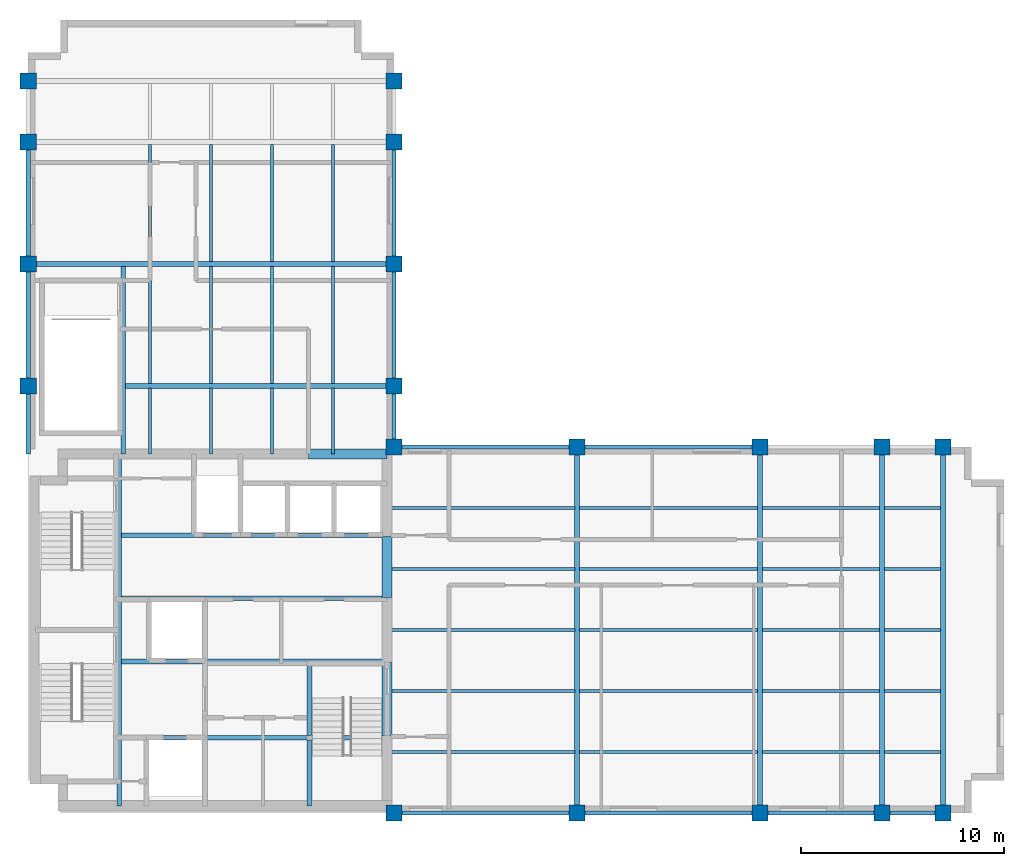
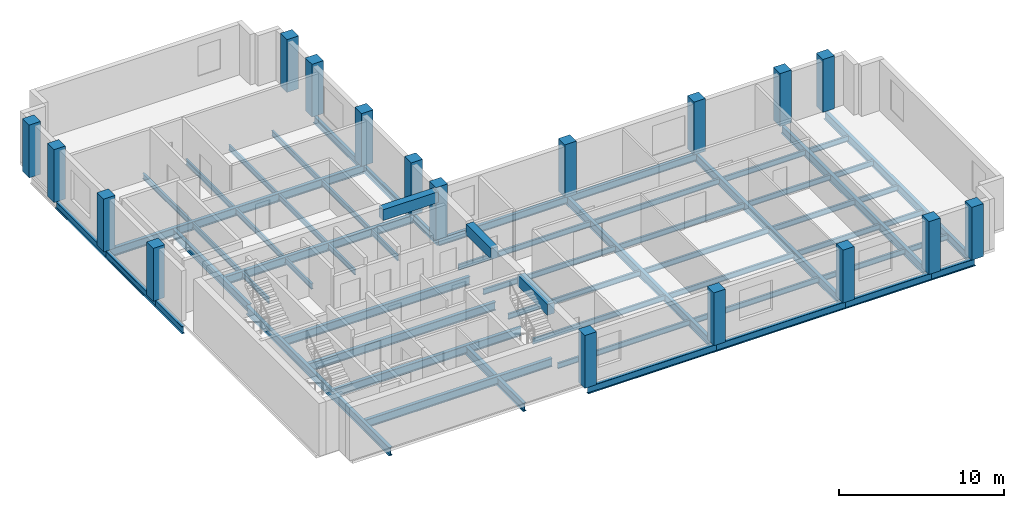
# One storey, part 1 of 6: 61 beams, 18 columns.
"""IFC4 building model written with IfcOpenShell, lengths in metres."""

from ifc_helpers import new_model, si_unit, direction, frame, origin, origin_2d, place, context, subcontext, project, spatial, rectangle, i_section, extrude, material, material_profile, profile_set, type_object, element, save


model = new_model("IFC4")

# Units and contexts
model_context = context("Model", 3, precision=1e-05, world=origin(), true_north=direction((0.0, 1.0)))
body_context = subcontext(model_context, "Body", "Model", "MODEL_VIEW")
ifc_project = project(units=[si_unit("LENGTHUNIT", "METRE"), si_unit("AREAUNIT", "SQUARE_METRE"), si_unit("VOLUMEUNIT", "CUBIC_METRE"), si_unit("PLANEANGLEUNIT", "RADIAN"), si_unit("MASSUNIT", "GRAM", prefix="KILO")], contexts=[model_context])

# Site, building, storey
site_placement = place(None, origin())
site = spatial("IfcSite", under=ifc_project, at=site_placement, CompositionType="ELEMENT")
building_placement = place(site_placement, origin())
building = spatial("IfcBuilding", under=site, at=building_placement, Name="Mawjdan Bourse Tower", CompositionType="ELEMENT")
storey_placement = place(building_placement, frame((0.0, 0.0, 250.800048828125)))
storey = spatial("IfcBuildingStorey", under=building, at=storey_placement, Name="L61", CompositionType="ELEMENT", Elevation=250.800048828125)

# Columns
ifc_material_1 = material(Name="Concrete C60/75", Category="concrete")
ifc_material_profile_1 = material_profile(ifc_material_1, rectangle(XDim=0.800048828125, YDim=0.800048828125, at=origin_2d()), Name="RC800X800")
ifc_profile_set_1 = profile_set([ifc_material_profile_1], Name="Concrete C60/75")
column_type = type_object("IfcColumnType", Name="COL-RC800X800", PredefinedType="COLUMN", material=ifc_profile_set_1)
for number, where, z_axis, x_axis, name in (
    (1, (24.0, 3.0, 0.0), (0.0, 0.0, 1.0), (1.0, 0.0, 0.0), "L61 Structural Column C-X240-Y30"),
    (2, (24.0, 21.0, 0.0), (0.0, 0.0, 1.0), (1.0, 0.0, 0.0), "L61 Structural Column C-X240-Y210"),
    (3, (33.0, 3.0, 0.0), (0.0, 0.0, 1.0), (1.0, 0.0, 0.0), "L61 Structural Column C-X330-Y30"),
    (4, (33.0, 21.0, 0.0), (0.0, 0.0, 1.0), (1.0, 0.0, 0.0), "L61 Structural Column C-X330-Y210"),
    (5, (42.0, 3.0, 0.0), (0.0, 0.0, 1.0), (1.0, 0.0, 0.0), "L61 Structural Column C-X420-Y30"),
    (6, (42.0, 21.0, 0.0), (0.0, 0.0, 1.0), (1.0, 0.0, 0.0), "L61 Structural Column C-X420-Y210"),
    (7, (48.0, 3.0, 0.0), (0.0, 0.0, 1.0), (1.0, 0.0, 0.0), "L61 Structural Column C-X480-Y30"),
    (8, (48.0, 21.0, 0.0), (0.0, 0.0, 1.0), (1.0, 0.0, 0.0), "L61 Structural Column C-X480-Y210"),
    (9, (51.0, 3.0, 0.0), (0.0, 0.0, 1.0), (1.0, 0.0, 0.0), "L61 Structural Column C-X510-Y30"),
    (10, (51.0, 21.0, 0.0), (0.0, 0.0, 1.0), (1.0, 0.0, 0.0), "L61 Structural Column C-X510-Y210"),
    (11, (6.0, 24.0, 0.0), (0.0, 0.0, 1.0), (1.0, 0.0, 0.0), "L61 Structural Column C-X60-Y240"),
    (12, (24.0, 24.0, 0.0), (0.0, 0.0, 1.0), (1.0, 0.0, 0.0), "L61 Structural Column C-X240-Y240"),
    (13, (6.0, 30.0, 0.0), (0.0, 0.0, 1.0), (1.0, 0.0, 0.0), "L61 Structural Column C-X60-Y300"),
    (14, (24.0, 30.0, 0.0), (0.0, 0.0, 1.0), (1.0, 0.0, 0.0), "L61 Structural Column C-X240-Y300"),
    (15, (6.0, 36.0, 0.0), (0.0, 0.0, 1.0), (1.0, 0.0, 0.0), "L61 Structural Column C-X60-Y360"),
    (16, (24.0, 36.0, 0.0), (0.0, 0.0, 1.0), (1.0, 0.0, 0.0), "L61 Structural Column C-X240-Y360"),
    (17, (6.0, 39.0, 0.0), (0.0, 0.0, 1.0), (1.0, 0.0, 0.0), "L61 Structural Column C-X60-Y390"),
    (18, (24.0, 39.0, 0.0), (0.0, 0.0, 1.0), (1.0, 0.0, 0.0), "L61 Structural Column C-X240-Y390"),
):
    element("IfcColumn", number, at=place(storey_placement, frame(where, z_axis=z_axis, x_axis=x_axis)), inside=storey, type_object=column_type, Name=name, PredefinedType="COLUMN", context=body_context, shape_type="SweptSolid", body=[
        extrude(rectangle(XDim=0.800048828125, YDim=0.800048828125, at=origin_2d()), origin(), (0.0, 0.0, 1.0), 3.89990234375),
    ])

# Beams
ifc_material_2 = material(Name="Structural Steel S355", Category="steel")
ifc_material_profile_2 = material_profile(ifc_material_2, i_section(OverallWidth=0.22998046875, OverallDepth=0.616943359375, WebThickness=0.01318359375, FlangeThickness=0.022216796875, FilletRadius=0.017822265625, at=origin_2d()), Name="W24X94")
ifc_profile_set_2 = profile_set([ifc_material_profile_2], Name="Structural Steel S355")
beam_type_1 = type_object("IfcBeamType", Name="GRD-W24X94", PredefinedType="BEAM", material=ifc_profile_set_2)
beam_1_placement = place(storey_placement, frame((10.47998046875, 3.35009765625, -0.508544921875), z_axis=(0.0, 1.0, 0.0), x_axis=(-1.0, 0.0, 0.0)))
element("IfcBeam", 19, at=beam_1_placement, inside=storey, type_object=beam_type_1, Name="L61 Core Stair Trimmer Girder 001", PredefinedType="BEAM", context=body_context, shape_type="SweptSolid", body=[
    extrude(i_section(OverallWidth=0.22998046875, OverallDepth=0.616943359375, WebThickness=0.01318359375, FlangeThickness=0.022216796875, FilletRadius=0.017822265625, at=origin_2d()), origin(), (0.0, 0.0, 1.0), 17.2998046875),
])
for number, where, z_axis, x_axis, name in (
    (20, (33.0, 3.0, -0.508544921875), (0.0, 1.0, 0.0), (-1.0, 0.0, 0.0), "L61 East Wing Clear-Span Girder 002"),
    (21, (42.0, 3.0, -0.508544921875), (0.0, 1.0, 0.0), (-1.0, 0.0, 0.0), "L61 East Wing Clear-Span Girder 003"),
    (22, (48.0, 3.0, -0.508544921875), (0.0, 1.0, 0.0), (-1.0, 0.0, 0.0), "L61 East Wing Clear-Span Girder 004"),
    (23, (51.0, 3.0, -0.508544921875), (0.0, 1.0, 0.0), (-1.0, 0.0, 0.0), "L61 East Wing Clear-Span Girder 005"),
):
    element("IfcBeam", number, at=place(storey_placement, frame(where, z_axis=z_axis, x_axis=x_axis)), inside=storey, type_object=beam_type_1, Name=name, PredefinedType="BEAM", context=body_context, shape_type="SweptSolid", body=[
        extrude(i_section(OverallWidth=0.22998046875, OverallDepth=0.616943359375, WebThickness=0.01318359375, FlangeThickness=0.022216796875, FilletRadius=0.017822265625, at=origin_2d()), origin(), (0.0, 0.0, 1.0), 18.0),
    ])
beam_2_placement = place(storey_placement, frame((10.679931640625, 20.64990234375, -0.508544921875), z_axis=(0.0, 1.0, 0.0), x_axis=(-1.0, 0.0, 0.0)))
element("IfcBeam", 24, at=beam_2_placement, inside=storey, type_object=beam_type_1, Name="L61 North Wing Stair Trimmer Girder 038", PredefinedType="BEAM", context=body_context, shape_type="SweptSolid", body=[
    extrude(i_section(OverallWidth=0.22998046875, OverallDepth=0.616943359375, WebThickness=0.01318359375, FlangeThickness=0.022216796875, FilletRadius=0.017822265625, at=origin_2d()), origin(), (0.0, 0.0, 1.0), 9.237060546875),
])
beam_3_placement = place(storey_placement, frame((10.79296875, 24.0, -0.508544921875), z_axis=(1.0, 0.0, 0.0), x_axis=(0.0, 1.0, 0.0)))
element("IfcBeam", 25, at=beam_3_placement, inside=storey, type_object=beam_type_1, Name="L61 North Wing Clear-Span Girder 039", PredefinedType="BEAM", context=body_context, shape_type="SweptSolid", body=[
    extrude(i_section(OverallWidth=0.22998046875, OverallDepth=0.616943359375, WebThickness=0.01318359375, FlangeThickness=0.022216796875, FilletRadius=0.017822265625, at=origin_2d()), origin(), (0.0, 0.0, 1.0), 13.20703125),
])
beam_4_placement = place(storey_placement, frame((6.0, 30.0, -0.508544921875), z_axis=(1.0, 0.0, 0.0), x_axis=(0.0, 1.0, 0.0)))
element("IfcBeam", 26, at=beam_4_placement, inside=storey, type_object=beam_type_1, Name="L61 North Wing Clear-Span Girder 040", PredefinedType="BEAM", context=body_context, shape_type="SweptSolid", body=[
    extrude(i_section(OverallWidth=0.22998046875, OverallDepth=0.616943359375, WebThickness=0.01318359375, FlangeThickness=0.022216796875, FilletRadius=0.017822265625, at=origin_2d()), origin(), (0.0, 0.0, 1.0), 18.0),
])
ifc_material_profile_3 = material_profile(ifc_material_2, i_section(OverallWidth=0.139892578125, OverallDepth=0.404052734375, WebThickness=0.007080078125, FlangeThickness=0.01123046875, FilletRadius=0.009033203125, at=origin_2d()), Name="W16X31")
ifc_profile_set_3 = profile_set([ifc_material_profile_3], Name="Structural Steel S355")
beam_type_2 = type_object("IfcBeamType", Name="JST-W16X31", PredefinedType="JOIST", material=ifc_profile_set_3)
beam_5_placement = place(storey_placement, frame((23.64990234375, 6.0, -0.402099609375), z_axis=(1.0, 0.0, 0.0), x_axis=(0.0, 1.0, 0.0)))
element("IfcBeam", 27, at=beam_5_placement, inside=storey, type_object=beam_type_2, Name="L61 East Wing Composite Joist 014", PredefinedType="JOIST", context=body_context, shape_type="SweptSolid", body=[
    extrude(i_section(OverallWidth=0.139892578125, OverallDepth=0.404052734375, WebThickness=0.007080078125, FlangeThickness=0.01123046875, FilletRadius=0.009033203125, at=origin_2d()), origin(), (0.0, 0.0, 1.0), 9.237060546875),
])
beam_6_placement = place(storey_placement, frame((33.113037109375, 6.0, -0.402099609375), z_axis=(1.0, 0.0, 0.0), x_axis=(0.0, 1.0, 0.0)))
element("IfcBeam", 28, at=beam_6_placement, inside=storey, type_object=beam_type_2, Name="L61 East Wing Composite Joist 015", PredefinedType="JOIST", context=body_context, shape_type="SweptSolid", body=[
    extrude(i_section(OverallWidth=0.139892578125, OverallDepth=0.404052734375, WebThickness=0.007080078125, FlangeThickness=0.01123046875, FilletRadius=0.009033203125, at=origin_2d()), origin(), (0.0, 0.0, 1.0), 8.77392578125),
])
beam_7_placement = place(storey_placement, frame((42.113037109375, 6.0, -0.402099609375), z_axis=(1.0, 0.0, 0.0), x_axis=(0.0, 1.0, 0.0)))
element("IfcBeam", 29, at=beam_7_placement, inside=storey, type_object=beam_type_2, Name="L61 East Wing Composite Joist 016", PredefinedType="JOIST", context=body_context, shape_type="SweptSolid", body=[
    extrude(i_section(OverallWidth=0.139892578125, OverallDepth=0.404052734375, WebThickness=0.007080078125, FlangeThickness=0.01123046875, FilletRadius=0.009033203125, at=origin_2d()), origin(), (0.0, 0.0, 1.0), 5.77392578125),
])
beam_8_placement = place(storey_placement, frame((48.113037109375, 6.0, -0.402099609375), z_axis=(1.0, 0.0, 0.0), x_axis=(0.0, 1.0, 0.0)))
element("IfcBeam", 30, at=beam_8_placement, inside=storey, type_object=beam_type_2, Name="L61 East Wing Composite Joist 017", PredefinedType="JOIST", context=body_context, shape_type="SweptSolid", body=[
    extrude(i_section(OverallWidth=0.139892578125, OverallDepth=0.404052734375, WebThickness=0.007080078125, FlangeThickness=0.01123046875, FilletRadius=0.009033203125, at=origin_2d()), origin(), (0.0, 0.0, 1.0), 2.77392578125),
])
beam_9_placement = place(storey_placement, frame((23.64990234375, 9.0, -0.402099609375), z_axis=(1.0, 0.0, 0.0), x_axis=(0.0, 1.0, 0.0)))
element("IfcBeam", 31, at=beam_9_placement, inside=storey, type_object=beam_type_2, Name="L61 East Wing Composite Joist 018", PredefinedType="JOIST", context=body_context, shape_type="SweptSolid", body=[
    extrude(i_section(OverallWidth=0.139892578125, OverallDepth=0.404052734375, WebThickness=0.007080078125, FlangeThickness=0.01123046875, FilletRadius=0.009033203125, at=origin_2d()), origin(), (0.0, 0.0, 1.0), 9.237060546875),
])
beam_10_placement = place(storey_placement, frame((33.113037109375, 9.0, -0.402099609375), z_axis=(1.0, 0.0, 0.0), x_axis=(0.0, 1.0, 0.0)))
element("IfcBeam", 32, at=beam_10_placement, inside=storey, type_object=beam_type_2, Name="L61 East Wing Composite Joist 019", PredefinedType="JOIST", context=body_context, shape_type="SweptSolid", body=[
    extrude(i_section(OverallWidth=0.139892578125, OverallDepth=0.404052734375, WebThickness=0.007080078125, FlangeThickness=0.01123046875, FilletRadius=0.009033203125, at=origin_2d()), origin(), (0.0, 0.0, 1.0), 8.77392578125),
])
beam_11_placement = place(storey_placement, frame((42.113037109375, 9.0, -0.402099609375), z_axis=(1.0, 0.0, 0.0), x_axis=(0.0, 1.0, 0.0)))
element("IfcBeam", 33, at=beam_11_placement, inside=storey, type_object=beam_type_2, Name="L61 East Wing Composite Joist 020", PredefinedType="JOIST", context=body_context, shape_type="SweptSolid", body=[
    extrude(i_section(OverallWidth=0.139892578125, OverallDepth=0.404052734375, WebThickness=0.007080078125, FlangeThickness=0.01123046875, FilletRadius=0.009033203125, at=origin_2d()), origin(), (0.0, 0.0, 1.0), 5.77392578125),
])
beam_12_placement = place(storey_placement, frame((48.113037109375, 9.0, -0.402099609375), z_axis=(1.0, 0.0, 0.0), x_axis=(0.0, 1.0, 0.0)))
element("IfcBeam", 34, at=beam_12_placement, inside=storey, type_object=beam_type_2, Name="L61 East Wing Composite Joist 021", PredefinedType="JOIST", context=body_context, shape_type="SweptSolid", body=[
    extrude(i_section(OverallWidth=0.139892578125, OverallDepth=0.404052734375, WebThickness=0.007080078125, FlangeThickness=0.01123046875, FilletRadius=0.009033203125, at=origin_2d()), origin(), (0.0, 0.0, 1.0), 2.77392578125),
])
beam_13_placement = place(storey_placement, frame((23.64990234375, 12.0, -0.402099609375), z_axis=(1.0, 0.0, 0.0), x_axis=(0.0, 1.0, 0.0)))
element("IfcBeam", 35, at=beam_13_placement, inside=storey, type_object=beam_type_2, Name="L61 East Wing Composite Joist 022", PredefinedType="JOIST", context=body_context, shape_type="SweptSolid", body=[
    extrude(i_section(OverallWidth=0.139892578125, OverallDepth=0.404052734375, WebThickness=0.007080078125, FlangeThickness=0.01123046875, FilletRadius=0.009033203125, at=origin_2d()), origin(), (0.0, 0.0, 1.0), 9.237060546875),
])
beam_14_placement = place(storey_placement, frame((33.113037109375, 12.0, -0.402099609375), z_axis=(1.0, 0.0, 0.0), x_axis=(0.0, 1.0, 0.0)))
element("IfcBeam", 36, at=beam_14_placement, inside=storey, type_object=beam_type_2, Name="L61 East Wing Composite Joist 023", PredefinedType="JOIST", context=body_context, shape_type="SweptSolid", body=[
    extrude(i_section(OverallWidth=0.139892578125, OverallDepth=0.404052734375, WebThickness=0.007080078125, FlangeThickness=0.01123046875, FilletRadius=0.009033203125, at=origin_2d()), origin(), (0.0, 0.0, 1.0), 8.77392578125),
])
beam_15_placement = place(storey_placement, frame((42.113037109375, 12.0, -0.402099609375), z_axis=(1.0, 0.0, 0.0), x_axis=(0.0, 1.0, 0.0)))
element("IfcBeam", 37, at=beam_15_placement, inside=storey, type_object=beam_type_2, Name="L61 East Wing Composite Joist 024", PredefinedType="JOIST", context=body_context, shape_type="SweptSolid", body=[
    extrude(i_section(OverallWidth=0.139892578125, OverallDepth=0.404052734375, WebThickness=0.007080078125, FlangeThickness=0.01123046875, FilletRadius=0.009033203125, at=origin_2d()), origin(), (0.0, 0.0, 1.0), 5.77392578125),
])
beam_16_placement = place(storey_placement, frame((48.113037109375, 12.0, -0.402099609375), z_axis=(1.0, 0.0, 0.0), x_axis=(0.0, 1.0, 0.0)))
element("IfcBeam", 38, at=beam_16_placement, inside=storey, type_object=beam_type_2, Name="L61 East Wing Composite Joist 025", PredefinedType="JOIST", context=body_context, shape_type="SweptSolid", body=[
    extrude(i_section(OverallWidth=0.139892578125, OverallDepth=0.404052734375, WebThickness=0.007080078125, FlangeThickness=0.01123046875, FilletRadius=0.009033203125, at=origin_2d()), origin(), (0.0, 0.0, 1.0), 2.77392578125),
])
beam_17_placement = place(storey_placement, frame((23.64990234375, 15.0, -0.402099609375), z_axis=(1.0, 0.0, 0.0), x_axis=(0.0, 1.0, 0.0)))
element("IfcBeam", 39, at=beam_17_placement, inside=storey, type_object=beam_type_2, Name="L61 East Wing Composite Joist 026", PredefinedType="JOIST", context=body_context, shape_type="SweptSolid", body=[
    extrude(i_section(OverallWidth=0.139892578125, OverallDepth=0.404052734375, WebThickness=0.007080078125, FlangeThickness=0.01123046875, FilletRadius=0.009033203125, at=origin_2d()), origin(), (0.0, 0.0, 1.0), 9.237060546875),
])
beam_18_placement = place(storey_placement, frame((33.113037109375, 15.0, -0.402099609375), z_axis=(1.0, 0.0, 0.0), x_axis=(0.0, 1.0, 0.0)))
element("IfcBeam", 40, at=beam_18_placement, inside=storey, type_object=beam_type_2, Name="L61 East Wing Composite Joist 027", PredefinedType="JOIST", context=body_context, shape_type="SweptSolid", body=[
    extrude(i_section(OverallWidth=0.139892578125, OverallDepth=0.404052734375, WebThickness=0.007080078125, FlangeThickness=0.01123046875, FilletRadius=0.009033203125, at=origin_2d()), origin(), (0.0, 0.0, 1.0), 8.77392578125),
])
beam_19_placement = place(storey_placement, frame((42.113037109375, 15.0, -0.402099609375), z_axis=(1.0, 0.0, 0.0), x_axis=(0.0, 1.0, 0.0)))
element("IfcBeam", 41, at=beam_19_placement, inside=storey, type_object=beam_type_2, Name="L61 East Wing Composite Joist 028", PredefinedType="JOIST", context=body_context, shape_type="SweptSolid", body=[
    extrude(i_section(OverallWidth=0.139892578125, OverallDepth=0.404052734375, WebThickness=0.007080078125, FlangeThickness=0.01123046875, FilletRadius=0.009033203125, at=origin_2d()), origin(), (0.0, 0.0, 1.0), 5.77392578125),
])
beam_20_placement = place(storey_placement, frame((48.113037109375, 15.0, -0.402099609375), z_axis=(1.0, 0.0, 0.0), x_axis=(0.0, 1.0, 0.0)))
element("IfcBeam", 42, at=beam_20_placement, inside=storey, type_object=beam_type_2, Name="L61 East Wing Composite Joist 029", PredefinedType="JOIST", context=body_context, shape_type="SweptSolid", body=[
    extrude(i_section(OverallWidth=0.139892578125, OverallDepth=0.404052734375, WebThickness=0.007080078125, FlangeThickness=0.01123046875, FilletRadius=0.009033203125, at=origin_2d()), origin(), (0.0, 0.0, 1.0), 2.77392578125),
])
beam_21_placement = place(storey_placement, frame((23.64990234375, 18.0, -0.402099609375), z_axis=(1.0, 0.0, 0.0), x_axis=(0.0, 1.0, 0.0)))
element("IfcBeam", 43, at=beam_21_placement, inside=storey, type_object=beam_type_2, Name="L61 East Wing Composite Joist 030", PredefinedType="JOIST", context=body_context, shape_type="SweptSolid", body=[
    extrude(i_section(OverallWidth=0.139892578125, OverallDepth=0.404052734375, WebThickness=0.007080078125, FlangeThickness=0.01123046875, FilletRadius=0.009033203125, at=origin_2d()), origin(), (0.0, 0.0, 1.0), 9.237060546875),
])
beam_22_placement = place(storey_placement, frame((33.113037109375, 18.0, -0.402099609375), z_axis=(1.0, 0.0, 0.0), x_axis=(0.0, 1.0, 0.0)))
element("IfcBeam", 44, at=beam_22_placement, inside=storey, type_object=beam_type_2, Name="L61 East Wing Composite Joist 031", PredefinedType="JOIST", context=body_context, shape_type="SweptSolid", body=[
    extrude(i_section(OverallWidth=0.139892578125, OverallDepth=0.404052734375, WebThickness=0.007080078125, FlangeThickness=0.01123046875, FilletRadius=0.009033203125, at=origin_2d()), origin(), (0.0, 0.0, 1.0), 8.77392578125),
])
beam_23_placement = place(storey_placement, frame((42.113037109375, 18.0, -0.402099609375), z_axis=(1.0, 0.0, 0.0), x_axis=(0.0, 1.0, 0.0)))
element("IfcBeam", 45, at=beam_23_placement, inside=storey, type_object=beam_type_2, Name="L61 East Wing Composite Joist 032", PredefinedType="JOIST", context=body_context, shape_type="SweptSolid", body=[
    extrude(i_section(OverallWidth=0.139892578125, OverallDepth=0.404052734375, WebThickness=0.007080078125, FlangeThickness=0.01123046875, FilletRadius=0.009033203125, at=origin_2d()), origin(), (0.0, 0.0, 1.0), 5.77392578125),
])
beam_24_placement = place(storey_placement, frame((48.113037109375, 18.0, -0.402099609375), z_axis=(1.0, 0.0, 0.0), x_axis=(0.0, 1.0, 0.0)))
element("IfcBeam", 46, at=beam_24_placement, inside=storey, type_object=beam_type_2, Name="L61 East Wing Composite Joist 033", PredefinedType="JOIST", context=body_context, shape_type="SweptSolid", body=[
    extrude(i_section(OverallWidth=0.139892578125, OverallDepth=0.404052734375, WebThickness=0.007080078125, FlangeThickness=0.01123046875, FilletRadius=0.009033203125, at=origin_2d()), origin(), (0.0, 0.0, 1.0), 2.77392578125),
])
beam_25_placement = place(storey_placement, frame((12.0, 20.64990234375, -0.402099609375), z_axis=(0.0, 1.0, 0.0), x_axis=(-1.0, 0.0, 0.0)))
element("IfcBeam", 47, at=beam_25_placement, inside=storey, type_object=beam_type_2, Name="L61 North Wing Composite Joist 051", PredefinedType="JOIST", context=body_context, shape_type="SweptSolid", body=[
    extrude(i_section(OverallWidth=0.139892578125, OverallDepth=0.404052734375, WebThickness=0.007080078125, FlangeThickness=0.01123046875, FilletRadius=0.009033203125, at=origin_2d()), origin(), (0.0, 0.0, 1.0), 3.237060546875),
])
for number, where, z_axis, x_axis, name in (
    (48, (12.0, 24.113037109375, -0.402099609375), (0.0, 1.0, 0.0), (-1.0, 0.0, 0.0), "L61 North Wing Composite Joist 052"),
    (49, (12.0, 30.113037109375, -0.402099609375), (0.0, 1.0, 0.0), (-1.0, 0.0, 0.0), "L61 North Wing Composite Joist 053"),
):
    element("IfcBeam", number, at=place(storey_placement, frame(where, z_axis=z_axis, x_axis=x_axis)), inside=storey, type_object=beam_type_2, Name=name, PredefinedType="JOIST", context=body_context, shape_type="SweptSolid", body=[
        extrude(i_section(OverallWidth=0.139892578125, OverallDepth=0.404052734375, WebThickness=0.007080078125, FlangeThickness=0.01123046875, FilletRadius=0.009033203125, at=origin_2d()), origin(), (0.0, 0.0, 1.0), 5.77392578125),
    ])
beam_26_placement = place(storey_placement, frame((15.0, 20.64990234375, -0.402099609375), z_axis=(0.0, 1.0, 0.0), x_axis=(-1.0, 0.0, 0.0)))
element("IfcBeam", 50, at=beam_26_placement, inside=storey, type_object=beam_type_2, Name="L61 North Wing Composite Joist 055", PredefinedType="JOIST", context=body_context, shape_type="SweptSolid", body=[
    extrude(i_section(OverallWidth=0.139892578125, OverallDepth=0.404052734375, WebThickness=0.007080078125, FlangeThickness=0.01123046875, FilletRadius=0.009033203125, at=origin_2d()), origin(), (0.0, 0.0, 1.0), 3.237060546875),
])
for number, where, z_axis, x_axis, name in (
    (51, (15.0, 24.113037109375, -0.402099609375), (0.0, 1.0, 0.0), (-1.0, 0.0, 0.0), "L61 North Wing Composite Joist 056"),
    (52, (15.0, 30.113037109375, -0.402099609375), (0.0, 1.0, 0.0), (-1.0, 0.0, 0.0), "L61 North Wing Composite Joist 057"),
):
    element("IfcBeam", number, at=place(storey_placement, frame(where, z_axis=z_axis, x_axis=x_axis)), inside=storey, type_object=beam_type_2, Name=name, PredefinedType="JOIST", context=body_context, shape_type="SweptSolid", body=[
        extrude(i_section(OverallWidth=0.139892578125, OverallDepth=0.404052734375, WebThickness=0.007080078125, FlangeThickness=0.01123046875, FilletRadius=0.009033203125, at=origin_2d()), origin(), (0.0, 0.0, 1.0), 5.77392578125),
    ])
beam_27_placement = place(storey_placement, frame((18.0, 20.64990234375, -0.402099609375), z_axis=(0.0, 1.0, 0.0), x_axis=(-1.0, 0.0, 0.0)))
element("IfcBeam", 53, at=beam_27_placement, inside=storey, type_object=beam_type_2, Name="L61 North Wing Composite Joist 059", PredefinedType="JOIST", context=body_context, shape_type="SweptSolid", body=[
    extrude(i_section(OverallWidth=0.139892578125, OverallDepth=0.404052734375, WebThickness=0.007080078125, FlangeThickness=0.01123046875, FilletRadius=0.009033203125, at=origin_2d()), origin(), (0.0, 0.0, 1.0), 3.237060546875),
])
for number, where, z_axis, x_axis, name in (
    (54, (18.0, 24.113037109375, -0.402099609375), (0.0, 1.0, 0.0), (-1.0, 0.0, 0.0), "L61 North Wing Composite Joist 060"),
    (55, (18.0, 30.113037109375, -0.402099609375), (0.0, 1.0, 0.0), (-1.0, 0.0, 0.0), "L61 North Wing Composite Joist 061"),
):
    element("IfcBeam", number, at=place(storey_placement, frame(where, z_axis=z_axis, x_axis=x_axis)), inside=storey, type_object=beam_type_2, Name=name, PredefinedType="JOIST", context=body_context, shape_type="SweptSolid", body=[
        extrude(i_section(OverallWidth=0.139892578125, OverallDepth=0.404052734375, WebThickness=0.007080078125, FlangeThickness=0.01123046875, FilletRadius=0.009033203125, at=origin_2d()), origin(), (0.0, 0.0, 1.0), 5.77392578125),
    ])
beam_28_placement = place(storey_placement, frame((21.0, 20.64990234375, -0.402099609375), z_axis=(0.0, 1.0, 0.0), x_axis=(-1.0, 0.0, 0.0)))
element("IfcBeam", 56, at=beam_28_placement, inside=storey, type_object=beam_type_2, Name="L61 North Wing Composite Joist 063", PredefinedType="JOIST", context=body_context, shape_type="SweptSolid", body=[
    extrude(i_section(OverallWidth=0.139892578125, OverallDepth=0.404052734375, WebThickness=0.007080078125, FlangeThickness=0.01123046875, FilletRadius=0.009033203125, at=origin_2d()), origin(), (0.0, 0.0, 1.0), 3.237060546875),
])
for number, where, z_axis, x_axis, name in (
    (57, (21.0, 24.113037109375, -0.402099609375), (0.0, 1.0, 0.0), (-1.0, 0.0, 0.0), "L61 North Wing Composite Joist 064"),
    (58, (21.0, 30.113037109375, -0.402099609375), (0.0, 1.0, 0.0), (-1.0, 0.0, 0.0), "L61 North Wing Composite Joist 065"),
):
    element("IfcBeam", number, at=place(storey_placement, frame(where, z_axis=z_axis, x_axis=x_axis)), inside=storey, type_object=beam_type_2, Name=name, PredefinedType="JOIST", context=body_context, shape_type="SweptSolid", body=[
        extrude(i_section(OverallWidth=0.139892578125, OverallDepth=0.404052734375, WebThickness=0.007080078125, FlangeThickness=0.01123046875, FilletRadius=0.009033203125, at=origin_2d()), origin(), (0.0, 0.0, 1.0), 5.77392578125),
    ])
ifc_material_profile_4 = material_profile(ifc_material_2, i_section(OverallWidth=0.22998046875, OverallDepth=0.616943359375, WebThickness=0.01318359375, FlangeThickness=0.022216796875, FilletRadius=0.017822265625, at=origin_2d()), Name="W24X94")
ifc_profile_set_4 = profile_set([ifc_material_profile_4], Name="Structural Steel S355")
beam_type_3 = type_object("IfcBeamType", Name="JST-W24X94", PredefinedType="JOIST", material=ifc_profile_set_4)
for number, where, z_axis, x_axis, name in (
    (59, (10.593017578125, 6.699951171875, -0.508544921875), (1.0, 0.0, 0.0), (0.0, 1.0, 0.0), "L61 Core Floor Joist 034"),
    (60, (10.593017578125, 10.449951171875, -0.508544921875), (1.0, 0.0, 0.0), (0.0, 1.0, 0.0), "L61 Core Floor Joist 035"),
    (61, (10.593017578125, 13.550048828125, -0.508544921875), (1.0, 0.0, 0.0), (0.0, 1.0, 0.0), "L61 Core Floor Joist 036"),
    (62, (10.593017578125, 16.64990234375, -0.508544921875), (1.0, 0.0, 0.0), (0.0, 1.0, 0.0), "L61 Core Floor Joist 037"),
):
    element("IfcBeam", number, at=place(storey_placement, frame(where, z_axis=z_axis, x_axis=x_axis)), inside=storey, type_object=beam_type_3, Name=name, PredefinedType="JOIST", context=body_context, shape_type="SweptSolid", body=[
        extrude(i_section(OverallWidth=0.22998046875, OverallDepth=0.616943359375, WebThickness=0.01318359375, FlangeThickness=0.022216796875, FilletRadius=0.017822265625, at=origin_2d()), origin(), (0.0, 0.0, 1.0), 13.056884765625),
    ])
beam_29_placement = place(storey_placement, frame((19.830078125, 3.35009765625, -0.508544921875), z_axis=(0.0, 1.0, 0.0), x_axis=(-1.0, 0.0, 0.0)))
element("IfcBeam", 63, at=beam_29_placement, inside=storey, type_object=beam_type_3, Name="L61 ST7 West Shaft Wall Trimmer 067", PredefinedType="JOIST", context=body_context, shape_type="SweptSolid", body=[
    extrude(i_section(OverallWidth=0.22998046875, OverallDepth=0.616943359375, WebThickness=0.01318359375, FlangeThickness=0.022216796875, FilletRadius=0.017822265625, at=origin_2d()), origin(), (0.0, 0.0, 1.0), 3.23681640625),
])
beam_30_placement = place(storey_placement, frame((19.830078125, 6.81298828125, -0.508544921875), z_axis=(0.0, 1.0, 0.0), x_axis=(-1.0, 0.0, 0.0)))
element("IfcBeam", 64, at=beam_30_placement, inside=storey, type_object=beam_type_3, Name="L61 ST7 West Shaft Wall Trimmer 068", PredefinedType="JOIST", context=body_context, shape_type="SweptSolid", body=[
    extrude(i_section(OverallWidth=0.22998046875, OverallDepth=0.616943359375, WebThickness=0.01318359375, FlangeThickness=0.022216796875, FilletRadius=0.017822265625, at=origin_2d()), origin(), (0.0, 0.0, 1.0), 3.52392578125),
])
ifc_material_3 = material(Name="Concrete C70/85", Category="concrete")
ifc_material_profile_5 = material_profile(ifc_material_3, rectangle(XDim=0.5, YDim=0.800048828125, at=origin_2d()), Name="RCB500X800")
ifc_profile_set_5 = profile_set([ifc_material_profile_5], Name="Concrete C70/85")
beam_type_4 = type_object("IfcBeamType", Name="LNT-RCB500X800", PredefinedType="LINTEL", material=ifc_profile_set_5)
beam_31_placement = place(storey_placement, frame((23.64990234375, 6.800048828125, 3.31494140625), z_axis=(0.0, 1.0, 0.0), x_axis=(-1.0, 0.0, 0.0)))
element("IfcBeam", 65, at=beam_31_placement, inside=storey, type_object=beam_type_4, Name="L61 Coupled Core Lintel CB-E1", PredefinedType="LINTEL", context=body_context, shape_type="SweptSolid", body=[
    extrude(rectangle(XDim=0.5, YDim=0.800048828125, at=origin_2d()), origin(), (0.0, 0.0, 1.0), 3.599853515625),
])
beam_32_placement = place(storey_placement, frame((23.64990234375, 13.60009765625, 3.31494140625), z_axis=(0.0, 1.0, 0.0), x_axis=(-1.0, 0.0, 0.0)))
element("IfcBeam", 66, at=beam_32_placement, inside=storey, type_object=beam_type_4, Name="L61 Coupled Core Lintel CB-E2", PredefinedType="LINTEL", context=body_context, shape_type="SweptSolid", body=[
    extrude(rectangle(XDim=0.5, YDim=0.800048828125, at=origin_2d()), origin(), (0.0, 0.0, 1.0), 3.0),
])
beam_33_placement = place(storey_placement, frame((19.800048828125, 20.64990234375, 3.31494140625), z_axis=(1.0, 0.0, 0.0), x_axis=(0.0, 1.0, 0.0)))
element("IfcBeam", 67, at=beam_33_placement, inside=storey, type_object=beam_type_4, Name="L61 Coupled Core Lintel CB-N1", PredefinedType="LINTEL", context=body_context, shape_type="SweptSolid", body=[
    extrude(rectangle(XDim=0.5, YDim=0.800048828125, at=origin_2d()), origin(), (0.0, 0.0, 1.0), 3.849853515625),
])
ifc_material_profile_6 = material_profile(ifc_material_2, i_section(OverallWidth=0.2099609375, OverallDepth=0.537109375, WebThickness=0.010986328125, FlangeThickness=0.017333984375, FilletRadius=0.013916015625, at=origin_2d()), Name="W21X68")
ifc_profile_set_6 = profile_set([ifc_material_profile_6], Name="Structural Steel S355")
beam_type_5 = type_object("IfcBeamType", Name="SPN-W21X68", PredefinedType="SPANDREL", material=ifc_profile_set_6)
for number, where, z_axis, x_axis, name in (
    (68, (24.0, 3.0, -0.468505859375), (1.0, 0.0, 0.0), (0.0, 1.0, 0.0), "L61 Perimeter Masonry-Shelf Spandrel 006"),
    (69, (33.0, 3.0, -0.468505859375), (1.0, 0.0, 0.0), (0.0, 1.0, 0.0), "L61 Perimeter Masonry-Shelf Spandrel 007"),
):
    element("IfcBeam", number, at=place(storey_placement, frame(where, z_axis=z_axis, x_axis=x_axis)), inside=storey, type_object=beam_type_5, Name=name, PredefinedType="SPANDREL", context=body_context, shape_type="SweptSolid", body=[
        extrude(i_section(OverallWidth=0.2099609375, OverallDepth=0.537109375, WebThickness=0.010986328125, FlangeThickness=0.017333984375, FilletRadius=0.013916015625, at=origin_2d()), origin(), (0.0, 0.0, 1.0), 9.0),
    ])
beam_34_placement = place(storey_placement, frame((42.0, 3.0, -0.468505859375), z_axis=(1.0, 0.0, 0.0), x_axis=(0.0, 1.0, 0.0)))
element("IfcBeam", 70, at=beam_34_placement, inside=storey, type_object=beam_type_5, Name="L61 Perimeter Masonry-Shelf Spandrel 008", PredefinedType="SPANDREL", context=body_context, shape_type="SweptSolid", body=[
    extrude(i_section(OverallWidth=0.2099609375, OverallDepth=0.537109375, WebThickness=0.010986328125, FlangeThickness=0.017333984375, FilletRadius=0.013916015625, at=origin_2d()), origin(), (0.0, 0.0, 1.0), 6.0),
])
beam_35_placement = place(storey_placement, frame((48.0, 3.0, -0.468505859375), z_axis=(1.0, 0.0, 0.0), x_axis=(0.0, 1.0, 0.0)))
element("IfcBeam", 71, at=beam_35_placement, inside=storey, type_object=beam_type_5, Name="L61 Perimeter Masonry-Shelf Spandrel 009", PredefinedType="SPANDREL", context=body_context, shape_type="SweptSolid", body=[
    extrude(i_section(OverallWidth=0.2099609375, OverallDepth=0.537109375, WebThickness=0.010986328125, FlangeThickness=0.017333984375, FilletRadius=0.013916015625, at=origin_2d()), origin(), (0.0, 0.0, 1.0), 3.0),
])
for number, where, z_axis, x_axis, name in (
    (72, (24.0, 21.0, -0.468505859375), (1.0, 0.0, 0.0), (0.0, 1.0, 0.0), "L61 Perimeter Masonry-Shelf Spandrel 010"),
    (73, (33.0, 21.0, -0.468505859375), (1.0, 0.0, 0.0), (0.0, 1.0, 0.0), "L61 Perimeter Masonry-Shelf Spandrel 011"),
):
    element("IfcBeam", number, at=place(storey_placement, frame(where, z_axis=z_axis, x_axis=x_axis)), inside=storey, type_object=beam_type_5, Name=name, PredefinedType="SPANDREL", context=body_context, shape_type="SweptSolid", body=[
        extrude(i_section(OverallWidth=0.2099609375, OverallDepth=0.537109375, WebThickness=0.010986328125, FlangeThickness=0.017333984375, FilletRadius=0.013916015625, at=origin_2d()), origin(), (0.0, 0.0, 1.0), 9.0),
    ])
beam_36_placement = place(storey_placement, frame((6.0, 20.64990234375, -0.468505859375), z_axis=(0.0, 1.0, 0.0), x_axis=(-1.0, 0.0, 0.0)))
element("IfcBeam", 74, at=beam_36_placement, inside=storey, type_object=beam_type_5, Name="L61 North Wing Spandrel 043", PredefinedType="SPANDREL", context=body_context, shape_type="SweptSolid", body=[
    extrude(i_section(OverallWidth=0.2099609375, OverallDepth=0.537109375, WebThickness=0.010986328125, FlangeThickness=0.017333984375, FilletRadius=0.013916015625, at=origin_2d()), origin(), (0.0, 0.0, 1.0), 3.35009765625),
])
for number, where, z_axis, x_axis, name in (
    (75, (6.0, 24.0, -0.468505859375), (0.0, 1.0, 0.0), (-1.0, 0.0, 0.0), "L61 North Wing Spandrel 044"),
    (76, (6.0, 30.0, -0.468505859375), (0.0, 1.0, 0.0), (-1.0, 0.0, 0.0), "L61 North Wing Spandrel 045"),
):
    element("IfcBeam", number, at=place(storey_placement, frame(where, z_axis=z_axis, x_axis=x_axis)), inside=storey, type_object=beam_type_5, Name=name, PredefinedType="SPANDREL", context=body_context, shape_type="SweptSolid", body=[
        extrude(i_section(OverallWidth=0.2099609375, OverallDepth=0.537109375, WebThickness=0.010986328125, FlangeThickness=0.017333984375, FilletRadius=0.013916015625, at=origin_2d()), origin(), (0.0, 0.0, 1.0), 6.0),
    ])
beam_37_placement = place(storey_placement, frame((24.0, 21.0, -0.468505859375), z_axis=(0.0, 1.0, 0.0), x_axis=(-1.0, 0.0, 0.0)))
element("IfcBeam", 77, at=beam_37_placement, inside=storey, type_object=beam_type_5, Name="L61 North Wing Spandrel 047", PredefinedType="SPANDREL", context=body_context, shape_type="SweptSolid", body=[
    extrude(i_section(OverallWidth=0.2099609375, OverallDepth=0.537109375, WebThickness=0.010986328125, FlangeThickness=0.017333984375, FilletRadius=0.013916015625, at=origin_2d()), origin(), (0.0, 0.0, 1.0), 3.0),
])
for number, where, z_axis, x_axis, name in (
    (78, (24.0, 24.0, -0.468505859375), (0.0, 1.0, 0.0), (-1.0, 0.0, 0.0), "L61 North Wing Spandrel 048"),
    (79, (24.0, 30.0, -0.468505859375), (0.0, 1.0, 0.0), (-1.0, 0.0, 0.0), "L61 North Wing Spandrel 049"),
):
    element("IfcBeam", number, at=place(storey_placement, frame(where, z_axis=z_axis, x_axis=x_axis)), inside=storey, type_object=beam_type_5, Name=name, PredefinedType="SPANDREL", context=body_context, shape_type="SweptSolid", body=[
        extrude(i_section(OverallWidth=0.2099609375, OverallDepth=0.537109375, WebThickness=0.010986328125, FlangeThickness=0.017333984375, FilletRadius=0.013916015625, at=origin_2d()), origin(), (0.0, 0.0, 1.0), 6.0),
    ])

save(model, "model.ifc")
